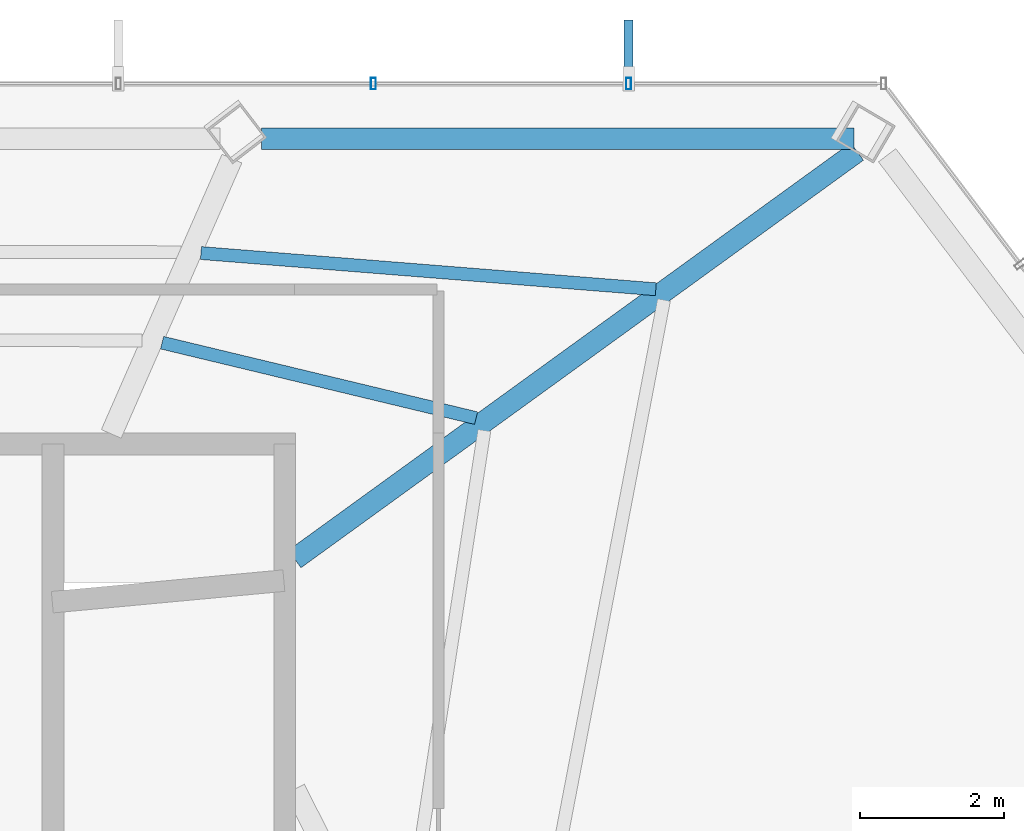
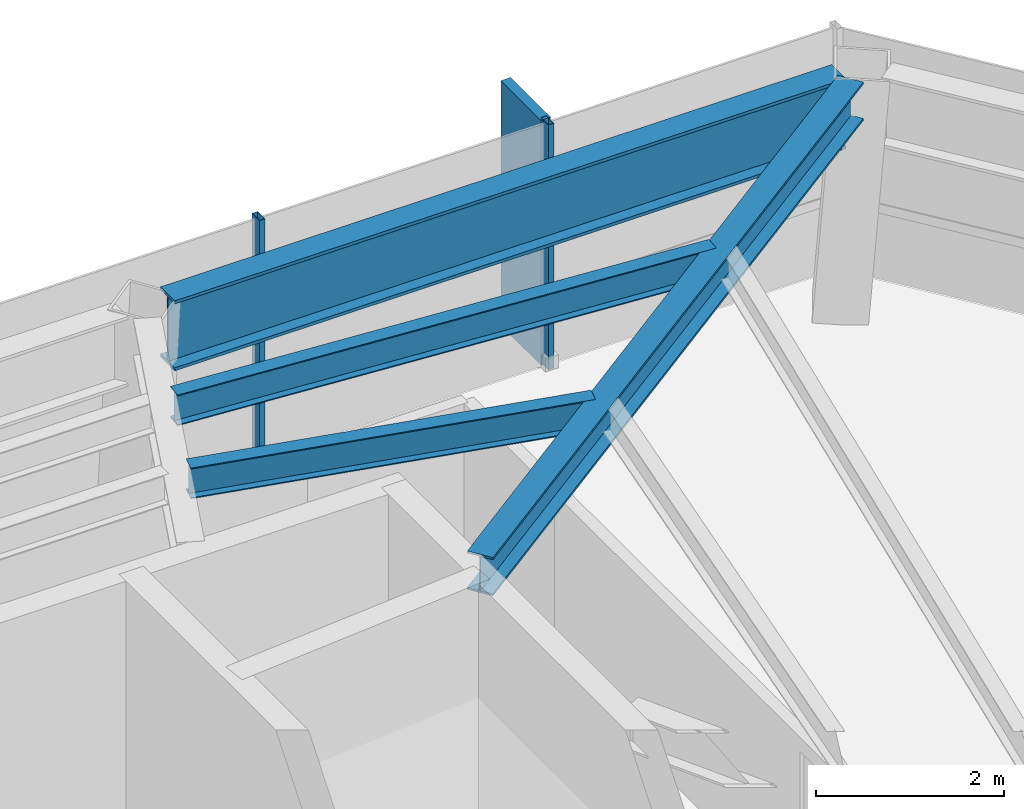
# One storey, part 21 of 27: 4 beams, 3 members, 1 element without a shape of its own.
"""IFC4 building model written with IfcOpenShell, lengths in metres."""

from ifc_helpers import new_model, si_unit, direction, frame, origin, origin_2d, place, context, subcontext, project, spatial, rectangle, hollow_rectangle, i_section, extrude, material, layer, layer_set, material_profile, profile_set, type_object, element, aggregate, save


model = new_model("IFC4")

# Units and contexts
model_context = context("Model", 3, precision=1e-05, world=origin(), true_north=direction((0.0, 1.0)))
body_context = subcontext(model_context, "Body", "Model", "MODEL_VIEW")
ifc_project = project(units=[si_unit("LENGTHUNIT", "METRE"), si_unit("AREAUNIT", "SQUARE_METRE"), si_unit("VOLUMEUNIT", "CUBIC_METRE"), si_unit("PLANEANGLEUNIT", "RADIAN"), si_unit("MASSUNIT", "GRAM", prefix="KILO")], contexts=[model_context])

# Site, building, storey
site_placement = place(None, origin())
site = spatial("IfcSite", under=ifc_project, at=site_placement, CompositionType="ELEMENT")
building_placement = place(site_placement, origin())
building = spatial("IfcBuilding", under=site, at=building_placement, Name="Zarrinselat Tower", CompositionType="ELEMENT")
storey_placement = place(building_placement, frame((0.0, 0.0, 215.56005859375)))
storey = spatial("IfcBuildingStorey", under=building, at=storey_placement, Name="L53", CompositionType="ELEMENT", Elevation=215.56005859375)

# Beams
ifc_material_1 = material(Name="Steel S355J2", Category="steel")
ifc_material_profile_1 = material_profile(ifc_material_1, i_section(OverallWidth=0.300048828125, OverallDepth=0.5, WebThickness=0.014404296875, FlangeThickness=0.028076171875, at=origin_2d()), Name="HEB 500")
ifc_profile_set_1 = profile_set([ifc_material_profile_1], Name="Steel S355J2")
beam_type_1 = type_object("IfcBeamType", Name="BM-HEB500", PredefinedType="BEAM", material=ifc_profile_set_1)
beam_1_placement = place(storey_placement, frame((48.35009765625, 41.800048828125, 2.929931640625), z_axis=(0.809785173782, 0.586726488513, 0.0), x_axis=(-0.586726488513, 0.809785173782, 0.0)))
element("IfcBeam", 1, at=beam_1_placement, inside=storey, type_object=beam_type_1, Name="L53 Radial Primary Girder RG01", PredefinedType="BEAM", context=body_context, shape_type="SweptSolid", body=[
    extrude(i_section(OverallWidth=0.300048828125, OverallDepth=0.5, WebThickness=0.014404296875, FlangeThickness=0.028076171875, at=origin_2d()), origin(), (0.0, 0.0, 1.0), 9.6591796875),
])
ifc_material_2 = material(Name="Steel S460M", Category="steel")
ifc_material_profile_2 = material_profile(ifc_material_2, i_section(OverallWidth=0.302001953125, OverallDepth=0.909912109375, WebThickness=0.02099609375, FlangeThickness=0.0400390625, at=origin_2d()), Name="HEM 900")
ifc_profile_set_2 = profile_set([ifc_material_profile_2], Name="Steel S460M")
beam_type_2 = type_object("IfcBeamType", Name="BM-HEM900", PredefinedType="BEAM", material=ifc_profile_set_2)
beam_2_placement = place(storey_placement, frame((47.887451171875, 47.644287109375, 2.724853515625), z_axis=(1.0, 0.0, 0.0), x_axis=(0.0, 1.0, 0.0)))
element("IfcBeam", 2, at=beam_2_placement, inside=storey, type_object=beam_type_2, Name="L53 Perimeter Spandrel Girder SP01", PredefinedType="BEAM", context=body_context, shape_type="SweptSolid", body=[
    extrude(i_section(OverallWidth=0.302001953125, OverallDepth=0.909912109375, WebThickness=0.02099609375, FlangeThickness=0.0400390625, at=origin_2d()), origin(), (0.0, 0.0, 1.0), 8.240966796875),
])
ifc_material_3 = material(Name="Steel S355J2", Category="steel")
ifc_material_profile_3 = material_profile(ifc_material_3, i_section(OverallWidth=0.179931640625, OverallDepth=0.39990234375, WebThickness=0.008544921875, FlangeThickness=0.013427734375, at=origin_2d()), Name="IPE 400")
ifc_profile_set_3 = profile_set([ifc_material_profile_3], Name="Steel S355J2")
beam_type_3 = type_object("IfcBeamType", Name="BM-IPE400", PredefinedType="JOIST", material=ifc_profile_set_3)
beam_3_placement = place(storey_placement, frame((47.047119140625, 46.05517578125, 2.97998046875), z_axis=(0.996845179444, -0.079370575268, 0.0), x_axis=(0.079370575268, 0.996845179444, 0.0)))
element("IfcBeam", 3, at=beam_3_placement, inside=storey, type_object=beam_type_3, Name="L53 Composite Floor Joist 6-1", PredefinedType="JOIST", context=body_context, shape_type="SweptSolid", body=[
    extrude(i_section(OverallWidth=0.179931640625, OverallDepth=0.39990234375, WebThickness=0.008544921875, FlangeThickness=0.013427734375, at=origin_2d()), origin(), (0.0, 0.0, 1.0), 6.345703125),
])
beam_4_placement = place(storey_placement, frame((46.506591796875, 44.80859375, 2.97998046875), z_axis=(0.972333489032, -0.233597059285, 0.0), x_axis=(0.233597059285, 0.972333489032, 0.0)))
element("IfcBeam", 4, at=beam_4_placement, inside=storey, type_object=beam_type_3, Name="L53 Composite Floor Joist 6-2", PredefinedType="JOIST", context=body_context, shape_type="SweptSolid", body=[
    extrude(i_section(OverallWidth=0.179931640625, OverallDepth=0.39990234375, WebThickness=0.008544921875, FlangeThickness=0.013427734375, at=origin_2d()), origin(), (0.0, 0.0, 1.0), 4.490966796875),
])

# Curtain wall, members
ifc_material_4 = material(Name="Extruded Aluminium Alloy EN AW-6063 T6", Category="aluminium")
ifc_layer = layer(ifc_material_4, 0.169921875)
ifc_layer_set = layer_set([ifc_layer], Name="Extruded Aluminium Alloy EN AW-6063 T6")
curtain_wall_type = type_object("IfcCurtainWallType", Name="CWS-RES", PredefinedType="NOTDEFINED", material=ifc_layer_set)
curtain_wall_placement = place(storey_placement, origin())
curtain_wall = element("IfcCurtainWall", 5, at=curtain_wall_placement, inside=storey, type_object=curtain_wall_type, Name="L53 Unitised Curtain Wall CW-L53-E01", PredefinedType="NOTDEFINED")
ifc_material_5 = material(Name="Extruded Aluminium Alloy EN AW-6063 T6", Category="aluminium")
ifc_material_profile_4 = material_profile(ifc_material_5, hollow_rectangle(XDim=0.070068359375, YDim=0.159912109375, WallThickness=0.00390625, at=origin_2d()), Name="RHS 160x70x4")
ifc_profile_set_4 = profile_set([ifc_material_profile_4], Name="Extruded Aluminium Alloy EN AW-6063 T6")
member_type_1 = type_object("IfcMemberType", Name="MEM-CW-MUL2", PredefinedType="MULLION", material=ifc_profile_set_4)
member_1_placement = place(storey_placement, frame((52.993408203125, 48.4111328125, 0.0), z_axis=(0.0, 0.0, 1.0), x_axis=(-1.0, 0.0, 0.0)))
member_1 = element("IfcMember", 6, at=member_1_placement, type_object=member_type_1, Name="CW-L53-E01 Mullion 1", PredefinedType="MULLION", context=body_context, shape_type="SweptSolid", body=[
    extrude(hollow_rectangle(XDim=0.070068359375, YDim=0.159912109375, WallThickness=0.00390625, at=origin_2d()), origin(), (0.0, 0.0, 1.0), 3.179931640625),
])
member_2_placement = place(storey_placement, frame((49.445556640625, 48.4111328125, 0.0), z_axis=(0.0, 0.0, 1.0), x_axis=(-1.0, 0.0, 0.0)))
member_2 = element("IfcMember", 7, at=member_2_placement, type_object=member_type_1, Name="CW-L53-E01 Mullion 2", PredefinedType="MULLION", context=body_context, shape_type="SweptSolid", body=[
    extrude(hollow_rectangle(XDim=0.070068359375, YDim=0.159912109375, WallThickness=0.00390625, at=origin_2d()), origin(), (0.0, 0.0, 1.0), 3.179931640625),
])
ifc_material_6 = material(Name="Honed Cream Travertine Stone", Category="masonry")
ifc_material_profile_5 = material_profile(ifc_material_6, rectangle(XDim=0.1201171875, YDim=0.85009765625, at=origin_2d()), Name="FIN 850x120")
ifc_profile_set_5 = profile_set([ifc_material_profile_5], Name="Honed Cream Travertine Stone")
member_type_2 = type_object("IfcMemberType", Name="MEM-STONE-FIN", PredefinedType="USERDEFINED", material=ifc_profile_set_5)
member_3_placement = place(storey_placement, frame((52.993408203125, 48.87109375, 0.0), z_axis=(0.0, 0.0, 1.0), x_axis=(1.0, 0.0, 0.0)))
member_3 = element("IfcMember", 8, at=member_3_placement, type_object=member_type_2, Name="L53 Stone Shading Fin CW-L53-E01-01", ObjectType="FIN", PredefinedType="USERDEFINED", context=body_context, shape_type="SweptSolid", body=[
    extrude(rectangle(XDim=0.1201171875, YDim=0.85009765625, at=origin_2d()), origin(), (0.0, 0.0, 1.0), 3.179931640625),
])
aggregate(curtain_wall, [member_1, member_3, member_2])

save(model, "model.ifc")
